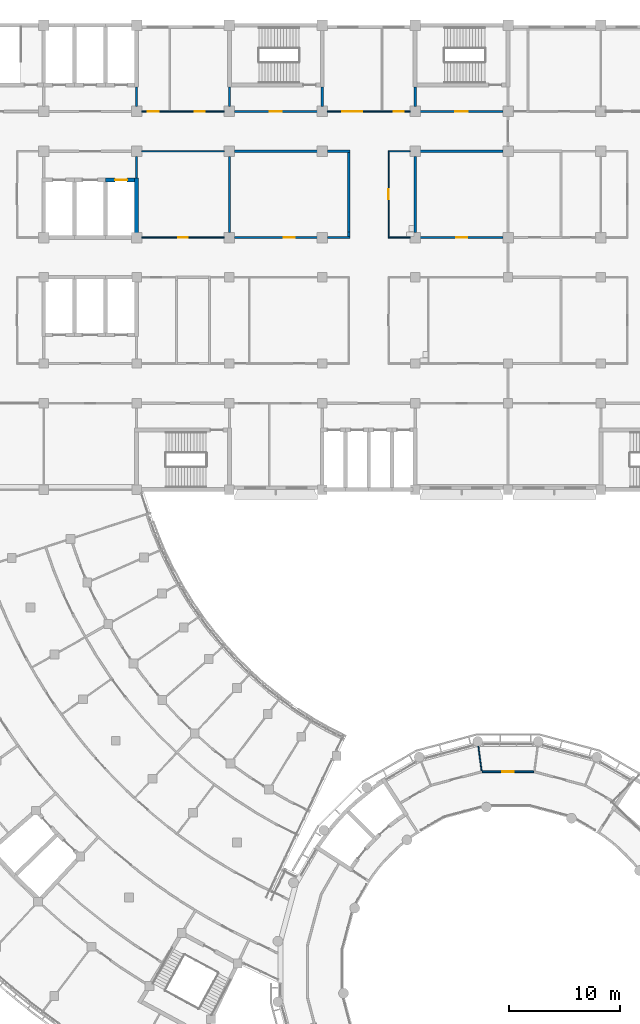
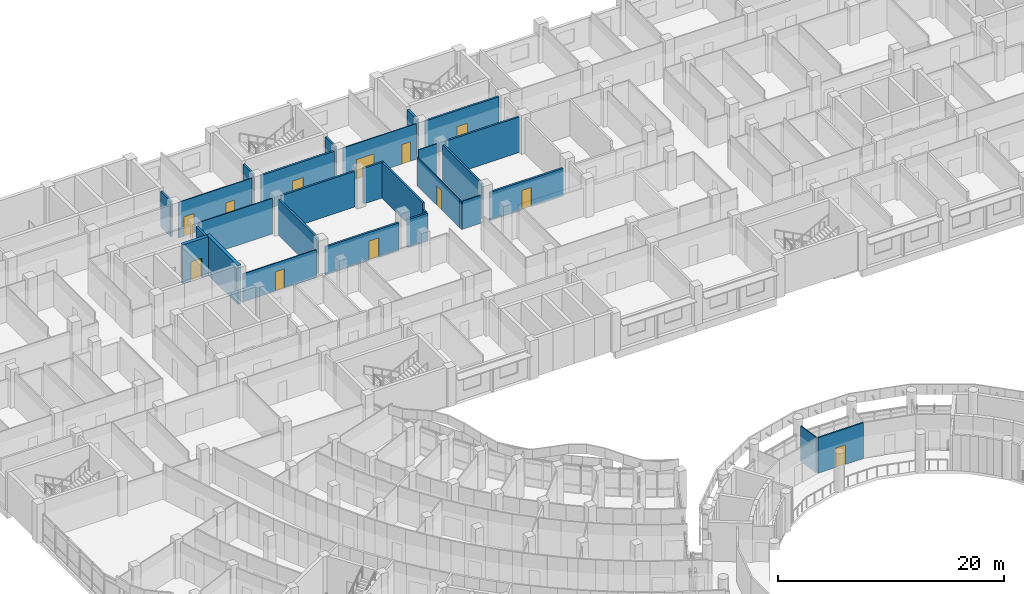
# One storey, part 60 of 109: 29 walls, 12 doors, 12 openings.
"""IFC4 building model written with IfcOpenShell, lengths in metres."""

from ifc_helpers import new_model, si_unit, direction, frame, frame_2d, origin, place, context, subcontext, project, spatial, rectangle, extrude, material, layer, layer_set, type_object, element, fill, save


model = new_model("IFC4")

# Units and contexts
model_context = context("Model", 3, precision=1e-05, world=origin(), true_north=direction((0.0, 1.0)))
body_context = subcontext(model_context, "Body", "Model", "MODEL_VIEW")
ifc_project = project(units=[si_unit("LENGTHUNIT", "METRE"), si_unit("AREAUNIT", "SQUARE_METRE"), si_unit("VOLUMEUNIT", "CUBIC_METRE"), si_unit("PLANEANGLEUNIT", "RADIAN"), si_unit("MASSUNIT", "GRAM", prefix="KILO")], contexts=[model_context])

# Site, building, storey
site_placement = place(None, origin())
site = spatial("IfcSite", under=ifc_project, at=site_placement, CompositionType="ELEMENT")
building_placement = place(site_placement, origin())
building = spatial("IfcBuilding", under=site, at=building_placement, Name="Bougainvillea Quay General Hospital", CompositionType="ELEMENT")
storey_placement = place(building_placement, frame((0.0, 0.0, 12.60009765625)))
storey = spatial("IfcBuildingStorey", under=building, at=storey_placement, Name="L02", CompositionType="ELEMENT", Elevation=12.60009765625)

# Wall, opening, door
ifc_material_1 = material(Name="Gypsum board partition on steel studs", Category="steel")
ifc_layer_1 = layer(ifc_material_1, 0.10009765625)
ifc_layer_set_1 = layer_set([ifc_layer_1], Name="Gypsum board partition on steel studs")
wall_type_1 = type_object("IfcWallType", Name="Partition 100 Gypsum board partition", PredefinedType="PARTITIONING", material=ifc_layer_set_1)
wall_1_placement = place(storey_placement, frame((83.550048828125, 140.39990234375, 0.0), z_axis=(0.0, 0.0, 1.0), x_axis=(-1.0, 0.0, 0.0)))
wall_1 = element("IfcWall", 1, at=wall_1_placement, inside=storey, type_object=wall_type_1, Name="Partition 100 mm", PredefinedType="PARTITIONING", context=body_context, shape_type="SweptSolid", body=[
    extrude(rectangle(XDim=7.5, YDim=0.10009765625, at=frame_2d((3.75, 0.0))), origin(), (0.0, 0.0, 1.0), 3.02978515625),
])
opening_1_placement = place(wall_1_placement, frame((3.300048828125, 0.0, 0.0)))
opening_1 = element("IfcOpeningElement", 2, at=opening_1_placement, cuts=wall_1, Name="Opening L02.140", PredefinedType="OPENING", context=body_context, shape_type="SweptSolid", body=[
    extrude(rectangle(XDim=0.89990234375, YDim=2.10009765625, at=frame_2d((0.449951171875, 1.050048828125))), frame((0.0, 0.06005859375, 0.0), z_axis=(0.0, -1.0, 0.0), x_axis=(1.0, 0.0, 0.0)), (0.0, 0.0, 1.0), 0.1201171875),
])
ifc_material_2 = material(Name="Solid-core timber door leaf in steel frame", Category="steel")
door_type_1 = type_object("IfcDoorType", Name="Single leaf door 900x2100", OperationType="NOTDEFINED", PredefinedType="DOOR", material=ifc_material_2)
door_1_placement = place(opening_1_placement, frame((0.89990234375, 0.0, 0.0), z_axis=(0.0, 0.0, 1.0), x_axis=(-1.0, 0.0, 0.0)))
door_1 = element("IfcDoor", 3, at=door_1_placement, inside=storey, type_object=door_type_1, Name="DT07 L02.140", OperationType="SINGLE_SWING_RIGHT", OverallHeight=2.10009765625, OverallWidth=0.89990234375, PredefinedType="DOOR", context=body_context, shape_type="SweptSolid", body=[
    extrude(rectangle(XDim=0.89990234375, YDim=2.10009765625, at=frame_2d((0.449951171875, 1.050048828125))), frame((0.0, 0.02490234375, 0.0), z_axis=(0.0, -1.0, 0.0), x_axis=(1.0, 0.0, 0.0)), (0.0, 0.0, 1.0), 0.050048828125),
])
fill(opening_1, door_1)

# Wall
wall_2_placement = place(storey_placement, frame((76.050048828125, 148.199951171875, 0.0), z_axis=(0.0, 0.0, 1.0), x_axis=(1.0, 0.0, 0.0)))
element("IfcWall", 4, at=wall_2_placement, inside=storey, type_object=wall_type_1, Name="Partition 100 mm", PredefinedType="PARTITIONING", context=body_context, shape_type="SweptSolid", body=[
    extrude(rectangle(XDim=7.5, YDim=0.10009765625, at=frame_2d((3.75, 0.0))), origin(), (0.0, 0.0, 1.0), 3.849853515625),
])

# Wall, openings, doors
wall_3_placement = place(storey_placement, frame((76.050048828125, 151.800048828125, 0.0), z_axis=(0.0, 0.0, 1.0), x_axis=(1.0, 0.0, 0.0)))
wall_3 = element("IfcWall", 5, at=wall_3_placement, inside=storey, type_object=wall_type_1, Name="Partition 100 mm", PredefinedType="PARTITIONING", context=body_context, shape_type="SweptSolid", body=[
    extrude(rectangle(XDim=7.5, YDim=0.10009765625, at=frame_2d((3.75, 0.0))), origin(), (0.0, 0.0, 1.0), 3.849853515625),
])
opening_2_placement = place(wall_3_placement, frame((0.549072265625, 0.0, 0.0)))
opening_2 = element("IfcOpeningElement", 6, at=opening_2_placement, cuts=wall_3, Name="Opening L02.137", PredefinedType="OPENING", context=body_context, shape_type="SweptSolid", body=[
    extrude(rectangle(XDim=1.0, YDim=2.10009765625, at=frame_2d((0.5, 1.050048828125))), frame((0.0, 0.06005859375, 0.0), z_axis=(0.0, -1.0, 0.0), x_axis=(1.0, 0.0, 0.0)), (0.0, 0.0, 1.0), 0.1201171875),
])
opening_3_placement = place(wall_3_placement, frame((4.799072265625, 0.0, 0.0)))
opening_3 = element("IfcOpeningElement", 7, at=opening_3_placement, cuts=wall_3, Name="Opening L02.138", PredefinedType="OPENING", context=body_context, shape_type="SweptSolid", body=[
    extrude(rectangle(XDim=0.89990234375, YDim=2.10009765625, at=frame_2d((0.449951171875, 1.050048828125))), frame((0.0, 0.06005859375, 0.0), z_axis=(0.0, -1.0, 0.0), x_axis=(1.0, 0.0, 0.0)), (0.0, 0.0, 1.0), 0.1201171875),
])
door_type_2 = type_object("IfcDoorType", Name="Single leaf door 1000x2100", OperationType="NOTDEFINED", PredefinedType="DOOR", material=ifc_material_2)
door_2_placement = place(opening_2_placement, origin())
door_2 = element("IfcDoor", 8, at=door_2_placement, inside=storey, type_object=door_type_2, Name="DT06 L02.137", OperationType="SINGLE_SWING_LEFT", OverallHeight=2.10009765625, OverallWidth=1.0, PredefinedType="DOOR", context=body_context, shape_type="SweptSolid", body=[
    extrude(rectangle(XDim=1.0, YDim=2.10009765625, at=frame_2d((0.5, 1.050048828125))), frame((0.0, 0.02490234375, 0.0), z_axis=(0.0, -1.0, 0.0), x_axis=(1.0, 0.0, 0.0)), (0.0, 0.0, 1.0), 0.050048828125),
])
fill(opening_2, door_2)
door_3_placement = place(opening_3_placement, origin())
door_3 = element("IfcDoor", 9, at=door_3_placement, inside=storey, type_object=door_type_1, Name="DT07 L02.138", OperationType="SINGLE_SWING_RIGHT", OverallHeight=2.10009765625, OverallWidth=0.89990234375, PredefinedType="DOOR", context=body_context, shape_type="SweptSolid", body=[
    extrude(rectangle(XDim=0.89990234375, YDim=2.10009765625, at=frame_2d((0.449951171875, 1.050048828125))), frame((0.0, 0.02490234375, 0.0), z_axis=(0.0, -1.0, 0.0), x_axis=(1.0, 0.0, 0.0)), (0.0, 0.0, 1.0), 0.050048828125),
])
fill(opening_3, door_3)

wall_4_placement = place(storey_placement, frame((92.85009765625, 151.800048828125, 0.0), z_axis=(0.0, 0.0, 1.0), x_axis=(1.0, 0.0, 0.0)))
wall_4 = element("IfcWall", 10, at=wall_4_placement, inside=storey, type_object=wall_type_1, Name="Partition 100 mm", PredefinedType="PARTITIONING", context=body_context, shape_type="SweptSolid", body=[
    extrude(rectangle(XDim=7.5, YDim=0.10009765625, at=frame_2d((3.75, 0.0))), origin(), (0.0, 0.0, 1.0), 3.849853515625),
])
opening_4_placement = place(wall_4_placement, frame((1.34912109375, 0.0, 0.0)))
opening_4 = element("IfcOpeningElement", 11, at=opening_4_placement, cuts=wall_4, Name="Opening L02.142", PredefinedType="OPENING", context=body_context, shape_type="SweptSolid", body=[
    extrude(rectangle(XDim=1.800048828125, YDim=2.10009765625, at=frame_2d((0.89990234375, 1.050048828125))), frame((0.0, 0.06005859375, 0.0), z_axis=(0.0, -1.0, 0.0), x_axis=(1.0, 0.0, 0.0)), (0.0, 0.0, 1.0), 0.1201171875),
])
opening_5_placement = place(wall_4_placement, frame((5.9990234375, 0.0, 0.0)))
opening_5 = element("IfcOpeningElement", 12, at=opening_5_placement, cuts=wall_4, Name="Opening L02.143", PredefinedType="OPENING", context=body_context, shape_type="SweptSolid", body=[
    extrude(rectangle(XDim=0.89990234375, YDim=2.10009765625, at=frame_2d((0.449951171875, 1.050048828125))), frame((0.0, 0.06005859375, 0.0), z_axis=(0.0, -1.0, 0.0), x_axis=(1.0, 0.0, 0.0)), (0.0, 0.0, 1.0), 0.1201171875),
])
ifc_material_3 = material(Name="Solid-core timber door leaves in steel frame", Category="steel")
door_type_3 = type_object("IfcDoorType", Name="Double leaf door 1800x2100", OperationType="DOUBLE_DOOR_SINGLE_SWING", PredefinedType="DOOR", material=ifc_material_3)
door_4_placement = place(opening_4_placement, origin())
door_4 = element("IfcDoor", 13, at=door_4_placement, inside=storey, type_object=door_type_3, Name="DT08 L02.142", OperationType="DOUBLE_DOOR_SINGLE_SWING", OverallHeight=2.10009765625, OverallWidth=1.800048828125, PredefinedType="DOOR", context=body_context, shape_type="SweptSolid", body=[
    extrude(rectangle(XDim=1.800048828125, YDim=2.10009765625, at=frame_2d((0.89990234375, 1.050048828125))), frame((0.0, 0.02490234375, 0.0), z_axis=(0.0, -1.0, 0.0), x_axis=(1.0, 0.0, 0.0)), (0.0, 0.0, 1.0), 0.050048828125),
])
fill(opening_4, door_4)
door_5_placement = place(opening_5_placement, origin())
door_5 = element("IfcDoor", 14, at=door_5_placement, inside=storey, type_object=door_type_1, Name="DT07 L02.143", OperationType="SINGLE_SWING_RIGHT", OverallHeight=2.10009765625, OverallWidth=0.89990234375, PredefinedType="DOOR", context=body_context, shape_type="SweptSolid", body=[
    extrude(rectangle(XDim=0.89990234375, YDim=2.10009765625, at=frame_2d((0.449951171875, 1.050048828125))), frame((0.0, 0.02490234375, 0.0), z_axis=(0.0, -1.0, 0.0), x_axis=(1.0, 0.0, 0.0)), (0.0, 0.0, 1.0), 0.050048828125),
])
fill(opening_5, door_5)

# Wall
wall_5_placement = place(storey_placement, frame((98.39990234375, 140.35009765625, 0.0), z_axis=(0.0, 0.0, 1.0), x_axis=(0.0, 1.0, 0.0)))
element("IfcWall", 15, at=wall_5_placement, inside=storey, type_object=wall_type_1, Name="Partition 100 mm", PredefinedType="PARTITIONING", context=body_context, shape_type="SweptSolid", body=[
    extrude(rectangle(XDim=0.349853515625, YDim=0.10009765625, at=frame_2d((0.1748046875, 0.0))), origin(), (0.0, 0.0, 1.0), 3.02978515625),
])

# Wall, opening, door
wall_6_placement = place(storey_placement, frame((98.39990234375, 140.699951171875, 0.0), z_axis=(0.0, 0.0, 1.0), x_axis=(0.0, 1.0, 0.0)))
wall_6 = element("IfcWall", 16, at=wall_6_placement, inside=storey, type_object=wall_type_1, Name="Partition 100 mm", PredefinedType="PARTITIONING", context=body_context, shape_type="SweptSolid", body=[
    extrude(rectangle(XDim=7.550048828125, YDim=0.10009765625, at=frame_2d((3.77490234375, 0.0))), origin(), (0.0, 0.0, 1.0), 3.079833984375),
])
opening_6_placement = place(wall_6_placement, frame((3.14990234375, 0.0, 0.0)))
opening_6 = element("IfcOpeningElement", 17, at=opening_6_placement, cuts=wall_6, Name="Opening L02.146", PredefinedType="OPENING", context=body_context, shape_type="SweptSolid", body=[
    extrude(rectangle(XDim=0.89990234375, YDim=2.10009765625, at=frame_2d((0.449951171875, 1.050048828125))), frame((0.0, 0.06005859375, 0.0), z_axis=(0.0, -1.0, 0.0), x_axis=(1.0, 0.0, 0.0)), (0.0, 0.0, 1.0), 0.1201171875),
])
door_6_placement = place(opening_6_placement, frame((0.89990234375, 0.0, 0.0), z_axis=(0.0, 0.0, 1.0), x_axis=(-1.0, 0.0, 0.0)))
door_6 = element("IfcDoor", 18, at=door_6_placement, inside=storey, type_object=door_type_1, Name="DT07 L02.146", OperationType="SINGLE_SWING_RIGHT", OverallHeight=2.10009765625, OverallWidth=0.89990234375, PredefinedType="DOOR", context=body_context, shape_type="SweptSolid", body=[
    extrude(rectangle(XDim=0.89990234375, YDim=2.10009765625, at=frame_2d((0.449951171875, 1.050048828125))), frame((0.0, 0.02490234375, 0.0), z_axis=(0.0, -1.0, 0.0), x_axis=(1.0, 0.0, 0.0)), (0.0, 0.0, 1.0), 0.050048828125),
])
fill(opening_6, door_6)

# Walls
wall_7_placement = place(storey_placement, frame((98.449951171875, 140.39990234375, 0.0), z_axis=(0.0, 0.0, 1.0), x_axis=(1.0, 0.0, 0.0)))
element("IfcWall", 19, at=wall_7_placement, inside=storey, type_object=wall_type_1, Name="Partition 100 mm", PredefinedType="PARTITIONING", context=body_context, shape_type="SweptSolid", body=[
    extrude(rectangle(XDim=1.900146484375, YDim=0.10009765625, at=frame_2d((0.9501953125, 0.0))), origin(), (0.0, 0.0, 1.0), 3.02978515625),
])
wall_8_placement = place(storey_placement, frame((98.449951171875, 148.199951171875, 0.0), z_axis=(0.0, 0.0, 1.0), x_axis=(1.0, 0.0, 0.0)))
element("IfcWall", 20, at=wall_8_placement, inside=storey, type_object=wall_type_1, Name="Partition 100 mm", PredefinedType="PARTITIONING", context=body_context, shape_type="SweptSolid", body=[
    extrude(rectangle(XDim=1.900146484375, YDim=0.10009765625, at=frame_2d((0.9501953125, 0.0))), origin(), (0.0, 0.0, 1.0), 3.849853515625),
])
ifc_layer_2 = layer(ifc_material_1, 0.10009765625)
ifc_layer_set_2 = layer_set([ifc_layer_2], Name="Gypsum board partition on steel studs")
wall_type_2 = type_object("IfcWallType", Name="Partition 100 Gypsum board partition EI 30", PredefinedType="PARTITIONING", material=ifc_layer_set_2)
wall_9_placement = place(storey_placement, frame((106.517333984375, 94.376953125, 0.0), z_axis=(0.0, 0.0, 1.0), x_axis=(0.13062345865, -0.991432051151, 0.0)))
element("IfcWall", 21, at=wall_9_placement, inside=storey, type_object=wall_type_2, Name="Partition 100 mm EI 30", PredefinedType="PARTITIONING", context=body_context, shape_type="SweptSolid", body=[
    extrude(rectangle(XDim=2.242919921875, YDim=0.10009765625, at=frame_2d((1.12158203125, 0.0))), origin(), (0.0, 0.0, 1.0), 3.849853515625),
])

# Wall, opening, door
ifc_material_4 = material(Name="Gypsum board partition on steel studs, insulated", Category="steel")
ifc_layer_3 = layer(ifc_material_4, 0.14990234375)
ifc_layer_set_3 = layer_set([ifc_layer_3], Name="Gypsum board partition on steel studs, insulated")
wall_type_3 = type_object("IfcWallType", Name="Partition 150 Gypsum board partition EI 30", PredefinedType="PARTITIONING", material=ifc_layer_set_3)
wall_10_placement = place(storey_placement, frame((106.87890625, 92.072021484375, 0.0), z_axis=(0.0, 0.0, 1.0), x_axis=(1.0, 0.0, 0.0)))
wall_10 = element("IfcWall", 22, at=wall_10_placement, inside=storey, type_object=wall_type_3, Name="Partition 150 mm EI 30", PredefinedType="PARTITIONING", context=body_context, shape_type="SweptSolid", body=[
    extrude(rectangle(XDim=4.64208984375, YDim=0.14990234375, at=frame_2d((2.321044921875, 0.0))), origin(), (0.0, 0.0, 1.0), 3.849853515625),
])
opening_7_placement = place(wall_10_placement, frame((1.821044921875, 0.0, 0.0)))
opening_7 = element("IfcOpeningElement", 23, at=opening_7_placement, cuts=wall_10, Name="Opening L02.240", PredefinedType="OPENING", context=body_context, shape_type="SweptSolid", body=[
    extrude(rectangle(XDim=1.0, YDim=2.10009765625, at=frame_2d((0.5, 1.050048828125))), frame((0.0, 0.0849609375, 0.0), z_axis=(0.0, -1.0, 0.0), x_axis=(1.0, 0.0, 0.0)), (0.0, 0.0, 1.0), 0.169921875),
])
door_type_4 = type_object("IfcDoorType", Name="Single leaf door 1000x2100 FD30S", OperationType="NOTDEFINED", PredefinedType="DOOR", material=ifc_material_2)
door_7_placement = place(opening_7_placement, origin())
door_7 = element("IfcDoor", 24, at=door_7_placement, inside=storey, type_object=door_type_4, Name="DT15 L02.240", OperationType="SINGLE_SWING_LEFT", OverallHeight=2.10009765625, OverallWidth=1.0, PredefinedType="DOOR", context=body_context, shape_type="SweptSolid", body=[
    extrude(rectangle(XDim=1.0, YDim=2.10009765625, at=frame_2d((0.5, 1.050048828125))), frame((0.0, 0.02490234375, 0.0), z_axis=(0.0, -1.0, 0.0), x_axis=(1.0, 0.0, 0.0)), (0.0, 0.0, 1.0), 0.050048828125),
])
fill(opening_7, door_7)

ifc_material_5 = material(Name="Fire-rated autoclaved aerated block wall, plastered")
ifc_layer_4 = layer(ifc_material_5, 0.199951171875)
ifc_layer_set_4 = layer_set([ifc_layer_4], Name="Fire-rated autoclaved aerated block wall, plastered")
wall_type_4 = type_object("IfcWallType", Name="Partition 200 Fire-rated autoclaved aerated block wall EI 120", PredefinedType="SOLIDWALL", material=ifc_layer_set_4)
wall_11_placement = place(storey_placement, frame((101.25, 140.39990234375, 0.0), z_axis=(0.0, 0.0, 1.0), x_axis=(1.0, 0.0, 0.0)))
wall_11 = element("IfcWall", 25, at=wall_11_placement, inside=storey, type_object=wall_type_4, Name="Partition 200 mm EI 120", PredefinedType="SOLIDWALL", context=body_context, shape_type="SweptSolid", body=[
    extrude(rectangle(XDim=7.5, YDim=0.199951171875, at=frame_2d((3.75, 0.0))), origin(), (0.0, 0.0, 1.0), 3.02978515625),
])
opening_8_placement = place(wall_11_placement, frame((3.25, 0.0, 0.0)))
opening_8 = element("IfcOpeningElement", 26, at=opening_8_placement, cuts=wall_11, Name="Opening L02.147", PredefinedType="OPENING", context=body_context, shape_type="SweptSolid", body=[
    extrude(rectangle(XDim=1.0, YDim=2.10009765625, at=frame_2d((0.5, 1.050048828125))), frame((0.0, 0.10986328125, 0.0), z_axis=(0.0, -1.0, 0.0), x_axis=(1.0, 0.0, 0.0)), (0.0, 0.0, 1.0), 0.219970703125),
])
ifc_material_6 = material(Name="Steel fire door leaf in steel frame", Category="steel")
door_type_5 = type_object("IfcDoorType", Name="Steel single leaf door 1000x2100 FD90", OperationType="NOTDEFINED", PredefinedType="DOOR", material=ifc_material_6)
door_8_placement = place(opening_8_placement, origin())
door_8 = element("IfcDoor", 27, at=door_8_placement, inside=storey, type_object=door_type_5, Name="DT11 L02.147", OperationType="SINGLE_SWING_LEFT", OverallHeight=2.10009765625, OverallWidth=1.0, PredefinedType="DOOR", context=body_context, shape_type="SweptSolid", body=[
    extrude(rectangle(XDim=1.0, YDim=2.10009765625, at=frame_2d((0.5, 1.050048828125))), frame((0.0, 0.02490234375, 0.0), z_axis=(0.0, -1.0, 0.0), x_axis=(1.0, 0.0, 0.0)), (0.0, 0.0, 1.0), 0.050048828125),
])
fill(opening_8, door_8)

# Wall
wall_12_placement = place(storey_placement, frame((101.25, 148.199951171875, 0.0), z_axis=(0.0, 0.0, 1.0), x_axis=(1.0, 0.0, 0.0)))
element("IfcWall", 28, at=wall_12_placement, inside=storey, type_object=wall_type_4, Name="Partition 200 mm EI 120", PredefinedType="SOLIDWALL", context=body_context, shape_type="SweptSolid", body=[
    extrude(rectangle(XDim=7.5, YDim=0.199951171875, at=frame_2d((3.75, 0.0))), origin(), (0.0, 0.0, 1.0), 3.849853515625),
])

# Wall, opening, door
wall_13_placement = place(storey_placement, frame((84.449951171875, 140.39990234375, 0.0), z_axis=(0.0, 0.0, 1.0), x_axis=(1.0, 0.0, 0.0)))
wall_13 = element("IfcWall", 29, at=wall_13_placement, inside=storey, type_object=wall_type_4, Name="Partition 200 mm EI 120", PredefinedType="SOLIDWALL", context=body_context, shape_type="SweptSolid", body=[
    extrude(rectangle(XDim=7.5, YDim=0.199951171875, at=frame_2d((3.75, 0.0))), origin(), (0.0, 0.0, 1.0), 3.02978515625),
])
opening_9_placement = place(wall_13_placement, frame((4.449951171875, 0.0, 0.0)))
opening_9 = element("IfcOpeningElement", 30, at=opening_9_placement, cuts=wall_13, Name="Opening L02.141", PredefinedType="OPENING", context=body_context, shape_type="SweptSolid", body=[
    extrude(rectangle(XDim=1.0, YDim=2.10009765625, at=frame_2d((0.5, 1.050048828125))), frame((0.0, 0.10986328125, 0.0), z_axis=(0.0, -1.0, 0.0), x_axis=(1.0, 0.0, 0.0)), (0.0, 0.0, 1.0), 0.219970703125),
])
door_9_placement = place(opening_9_placement, origin())
door_9 = element("IfcDoor", 31, at=door_9_placement, inside=storey, type_object=door_type_5, Name="DT11 L02.141", OperationType="SINGLE_SWING_RIGHT", OverallHeight=2.10009765625, OverallWidth=1.0, PredefinedType="DOOR", context=body_context, shape_type="SweptSolid", body=[
    extrude(rectangle(XDim=1.0, YDim=2.10009765625, at=frame_2d((0.5, 1.050048828125))), frame((0.0, 0.02490234375, 0.0), z_axis=(0.0, -1.0, 0.0), x_axis=(1.0, 0.0, 0.0)), (0.0, 0.0, 1.0), 0.050048828125),
])
fill(opening_9, door_9)

# Walls
wall_14_placement = place(storey_placement, frame((92.85009765625, 140.39990234375, 0.0), z_axis=(0.0, 0.0, 1.0), x_axis=(1.0, 0.0, 0.0)))
element("IfcWall", 32, at=wall_14_placement, inside=storey, type_object=wall_type_4, Name="Partition 200 mm EI 120", PredefinedType="SOLIDWALL", context=body_context, shape_type="SweptSolid", body=[
    extrude(rectangle(XDim=2.0498046875, YDim=0.199951171875, at=frame_2d((1.02490234375, 0.0))), origin(), (0.0, 0.0, 1.0), 3.02978515625),
])
wall_15_placement = place(storey_placement, frame((84.449951171875, 148.199951171875, 0.0), z_axis=(0.0, 0.0, 1.0), x_axis=(1.0, 0.0, 0.0)))
element("IfcWall", 33, at=wall_15_placement, inside=storey, type_object=wall_type_4, Name="Partition 200 mm EI 120", PredefinedType="SOLIDWALL", context=body_context, shape_type="SweptSolid", body=[
    extrude(rectangle(XDim=7.5, YDim=0.199951171875, at=frame_2d((3.75, 0.0))), origin(), (0.0, 0.0, 1.0), 3.849853515625),
])
wall_16_placement = place(storey_placement, frame((92.85009765625, 148.199951171875, 0.0), z_axis=(0.0, 0.0, 1.0), x_axis=(1.0, 0.0, 0.0)))
element("IfcWall", 34, at=wall_16_placement, inside=storey, type_object=wall_type_4, Name="Partition 200 mm EI 120", PredefinedType="SOLIDWALL", context=body_context, shape_type="SweptSolid", body=[
    extrude(rectangle(XDim=2.0498046875, YDim=0.199951171875, at=frame_2d((1.02490234375, 0.0))), origin(), (0.0, 0.0, 1.0), 3.849853515625),
])

# Wall, opening, door
wall_17_placement = place(storey_placement, frame((101.25, 151.800048828125, 0.0), z_axis=(0.0, 0.0, 1.0), x_axis=(1.0, 0.0, 0.0)))
wall_17 = element("IfcWall", 35, at=wall_17_placement, inside=storey, type_object=wall_type_4, Name="Partition 200 mm EI 120", PredefinedType="SOLIDWALL", context=body_context, shape_type="SweptSolid", body=[
    extrude(rectangle(XDim=7.5, YDim=0.199951171875, at=frame_2d((3.75, 0.0))), origin(), (0.0, 0.0, 1.0), 3.849853515625),
])
opening_10_placement = place(wall_17_placement, frame((3.199951171875, 0.0, 0.0)))
opening_10 = element("IfcOpeningElement", 36, at=opening_10_placement, cuts=wall_17, Name="Opening L02.040", PredefinedType="OPENING", context=body_context, shape_type="SweptSolid", body=[
    extrude(rectangle(XDim=1.10009765625, YDim=2.10009765625, at=frame_2d((0.550048828125, 1.050048828125))), frame((0.0, 0.10986328125, 0.0), z_axis=(0.0, -1.0, 0.0), x_axis=(1.0, 0.0, 0.0)), (0.0, 0.0, 1.0), 0.219970703125),
])
door_type_6 = type_object("IfcDoorType", Name="Steel single leaf door 1100x2100 FD60", OperationType="NOTDEFINED", PredefinedType="DOOR", material=ifc_material_6)
door_10_placement = place(opening_10_placement, origin())
door_10 = element("IfcDoor", 37, at=door_10_placement, inside=storey, type_object=door_type_6, Name="DT04 L02.040", OperationType="SINGLE_SWING_RIGHT", OverallHeight=2.10009765625, OverallWidth=1.10009765625, PredefinedType="DOOR", context=body_context, shape_type="SweptSolid", body=[
    extrude(rectangle(XDim=1.10009765625, YDim=2.10009765625, at=frame_2d((0.550048828125, 1.050048828125))), frame((0.0, 0.02490234375, 0.0), z_axis=(0.0, -1.0, 0.0), x_axis=(1.0, 0.0, 0.0)), (0.0, 0.0, 1.0), 0.050048828125),
])
fill(opening_10, door_10)

wall_18_placement = place(storey_placement, frame((84.449951171875, 151.800048828125, 0.0), z_axis=(0.0, 0.0, 1.0), x_axis=(1.0, 0.0, 0.0)))
wall_18 = element("IfcWall", 38, at=wall_18_placement, inside=storey, type_object=wall_type_4, Name="Partition 200 mm EI 120", PredefinedType="SOLIDWALL", context=body_context, shape_type="SweptSolid", body=[
    extrude(rectangle(XDim=7.5, YDim=0.199951171875, at=frame_2d((3.75, 0.0))), origin(), (0.0, 0.0, 1.0), 3.849853515625),
])
opening_11_placement = place(wall_18_placement, frame((3.199951171875, 0.0, 0.0)))
opening_11 = element("IfcOpeningElement", 39, at=opening_11_placement, cuts=wall_18, Name="Opening L02.032", PredefinedType="OPENING", context=body_context, shape_type="SweptSolid", body=[
    extrude(rectangle(XDim=1.10009765625, YDim=2.10009765625, at=frame_2d((0.550048828125, 1.050048828125))), frame((0.0, 0.10986328125, 0.0), z_axis=(0.0, -1.0, 0.0), x_axis=(1.0, 0.0, 0.0)), (0.0, 0.0, 1.0), 0.219970703125),
])
door_11_placement = place(opening_11_placement, origin())
door_11 = element("IfcDoor", 40, at=door_11_placement, inside=storey, type_object=door_type_6, Name="DT04 L02.032", OperationType="SINGLE_SWING_RIGHT", OverallHeight=2.10009765625, OverallWidth=1.10009765625, PredefinedType="DOOR", context=body_context, shape_type="SweptSolid", body=[
    extrude(rectangle(XDim=1.10009765625, YDim=2.10009765625, at=frame_2d((0.550048828125, 1.050048828125))), frame((0.0, 0.02490234375, 0.0), z_axis=(0.0, -1.0, 0.0), x_axis=(1.0, 0.0, 0.0)), (0.0, 0.0, 1.0), 0.050048828125),
])
fill(opening_11, door_11)

# Walls
wall_19_placement = place(storey_placement, frame((84.0, 140.85009765625, 0.0), z_axis=(0.0, 0.0, 1.0), x_axis=(0.0, 1.0, 0.0)))
element("IfcWall", 41, at=wall_19_placement, inside=storey, type_object=wall_type_4, Name="Partition 200 mm EI 120", PredefinedType="SOLIDWALL", context=body_context, shape_type="SweptSolid", body=[
    extrude(rectangle(XDim=6.89990234375, YDim=0.199951171875, at=frame_2d((3.449951171875, 0.0))), origin(), (0.0, 0.0, 1.0), 3.849853515625),
])
wall_20_placement = place(storey_placement, frame((94.800048828125, 140.5, 0.0), z_axis=(0.0, 0.0, 1.0), x_axis=(0.0, 1.0, 0.0)))
element("IfcWall", 42, at=wall_20_placement, inside=storey, type_object=wall_type_4, Name="Partition 200 mm EI 120", PredefinedType="SOLIDWALL", context=body_context, shape_type="SweptSolid", body=[
    extrude(rectangle(XDim=0.39990234375, YDim=0.199951171875, at=frame_2d((0.199951171875, 0.0))), origin(), (0.0, 0.0, 1.0), 3.079833984375),
])
wall_21_placement = place(storey_placement, frame((94.800048828125, 140.89990234375, 0.0), z_axis=(0.0, 0.0, 1.0), x_axis=(0.0, 1.0, 0.0)))
element("IfcWall", 43, at=wall_21_placement, inside=storey, type_object=wall_type_4, Name="Partition 200 mm EI 120", PredefinedType="SOLIDWALL", context=body_context, shape_type="SweptSolid", body=[
    extrude(rectangle(XDim=7.2001953125, YDim=0.199951171875, at=frame_2d((3.60009765625, 0.0))), origin(), (0.0, 0.0, 1.0), 3.849853515625),
])
wall_22_placement = place(storey_placement, frame((100.800048828125, 140.85009765625, 0.0), z_axis=(0.0, 0.0, 1.0), x_axis=(0.0, 1.0, 0.0)))
element("IfcWall", 44, at=wall_22_placement, inside=storey, type_object=wall_type_4, Name="Partition 200 mm EI 120", PredefinedType="SOLIDWALL", context=body_context, shape_type="SweptSolid", body=[
    extrude(rectangle(XDim=6.89990234375, YDim=0.199951171875, at=frame_2d((3.449951171875, 0.0))), origin(), (0.0, 0.0, 1.0), 3.849853515625),
])
wall_23_placement = place(storey_placement, frame((75.60009765625, 145.77490234375, 0.0), z_axis=(0.0, 0.0, 1.0), x_axis=(0.0, 1.0, 0.0)))
element("IfcWall", 45, at=wall_23_placement, inside=storey, type_object=wall_type_4, Name="Partition 200 mm EI 120", PredefinedType="SOLIDWALL", context=body_context, shape_type="SweptSolid", body=[
    extrude(rectangle(XDim=1.97509765625, YDim=0.199951171875, at=frame_2d((0.987548828125, 0.0))), origin(), (0.0, 0.0, 1.0), 3.849853515625),
])
for number, where, z_axis, x_axis, name in (
    (46, (75.60009765625, 152.25, 0.0), (0.0, 0.0, 1.0), (0.0, 1.0, 0.0), "Partition 200 mm EI 120"),
    (47, (84.0, 152.25, 0.0), (0.0, 0.0, 1.0), (0.0, 1.0, 0.0), "Partition 200 mm EI 120"),
    (48, (92.39990234375, 152.25, 0.0), (0.0, 0.0, 1.0), (0.0, 1.0, 0.0), "Partition 200 mm EI 120"),
    (49, (100.800048828125, 152.25, 0.0), (0.0, 0.0, 1.0), (0.0, 1.0, 0.0), "Partition 200 mm EI 120"),
):
    element("IfcWall", number, at=place(storey_placement, frame(where, z_axis=z_axis, x_axis=x_axis)), inside=storey, type_object=wall_type_4, Name=name, PredefinedType="SOLIDWALL", context=body_context, shape_type="SweptSolid", body=[
        extrude(rectangle(XDim=1.77490234375, YDim=0.199951171875, at=frame_2d((0.887451171875, 0.0))), origin(), (0.0, 0.0, 1.0), 3.849853515625),
    ])

# Wall, opening, door
ifc_material_7 = material(Name="Concrete C40", Category="concrete")
ifc_layer_5 = layer(ifc_material_7, 0.35009765625)
ifc_layer_set_5 = layer_set([ifc_layer_5], Name="Concrete C40")
wall_type_5 = type_object("IfcWallType", Name="RC SHEAR WALL 350 C40", PredefinedType="SHEAR", material=ifc_layer_set_5)
wall_24_placement = place(storey_placement, frame((72.800048828125, 145.60009765625, 0.0), z_axis=(0.0, 0.0, 1.0), x_axis=(1.0, 0.0, 0.0)))
wall_24 = element("IfcWall", 50, at=wall_24_placement, inside=storey, type_object=wall_type_5, Name="Shear wall L02", PredefinedType="SHEAR", context=body_context, shape_type="SweptSolid", body=[
    extrude(rectangle(XDim=2.625, YDim=0.35009765625, at=frame_2d((1.3125, 0.0))), origin(), (0.0, 0.0, 1.0), 4.199951171875),
])
opening_12_placement = place(wall_24_placement, frame((0.85009765625, 0.0, 0.0)))
opening_12 = element("IfcOpeningElement", 51, at=opening_12_placement, cuts=wall_24, Name="Opening LD-A1.3-L02", PredefinedType="OPENING", context=body_context, shape_type="SweptSolid", body=[
    extrude(rectangle(XDim=1.10009765625, YDim=2.10009765625, at=frame_2d((0.550048828125, 1.050048828125))), frame((0.0, 0.18505859375, 0.0), z_axis=(0.0, -1.0, 0.0), x_axis=(1.0, 0.0, 0.0)), (0.0, 0.0, 1.0), 0.3701171875),
])
ifc_material_8 = material(Name="Stainless steel centre-opening landing door", Category="steel")
door_type_7 = type_object("IfcDoorType", Name="Lift landing door 1100x2100 E 120", OperationType="DOUBLE_DOOR_SLIDING", PredefinedType="DOOR", material=ifc_material_8)
door_12_placement = place(opening_12_placement, origin())
door_12 = element("IfcDoor", 52, at=door_12_placement, inside=storey, type_object=door_type_7, Name="Lift landing door LB-A1-3 L02", OperationType="DOUBLE_DOOR_SLIDING", OverallHeight=2.10009765625, OverallWidth=1.10009765625, PredefinedType="DOOR", context=body_context, shape_type="SweptSolid", body=[
    extrude(rectangle(XDim=1.10009765625, YDim=2.10009765625, at=frame_2d((0.550048828125, 1.050048828125))), frame((0.0, 0.02490234375, 0.0), z_axis=(0.0, -1.0, 0.0), x_axis=(1.0, 0.0, 0.0)), (0.0, 0.0, 1.0), 0.050048828125),
])
fill(opening_12, door_12)

# Wall
wall_25_placement = place(storey_placement, frame((75.60009765625, 140.22509765625, 0.0), z_axis=(0.0, 0.0, 1.0), x_axis=(0.0, 1.0, 0.0)))
element("IfcWall", 53, at=wall_25_placement, inside=storey, type_object=wall_type_5, Name="Shear wall L02", PredefinedType="SHEAR", context=body_context, shape_type="SweptSolid", body=[
    extrude(rectangle(XDim=5.5498046875, YDim=0.35009765625, at=frame_2d((2.77490234375, 0.0))), origin(), (0.0, 0.0, 1.0), 4.199951171875),
])

save(model, "model.ifc")
